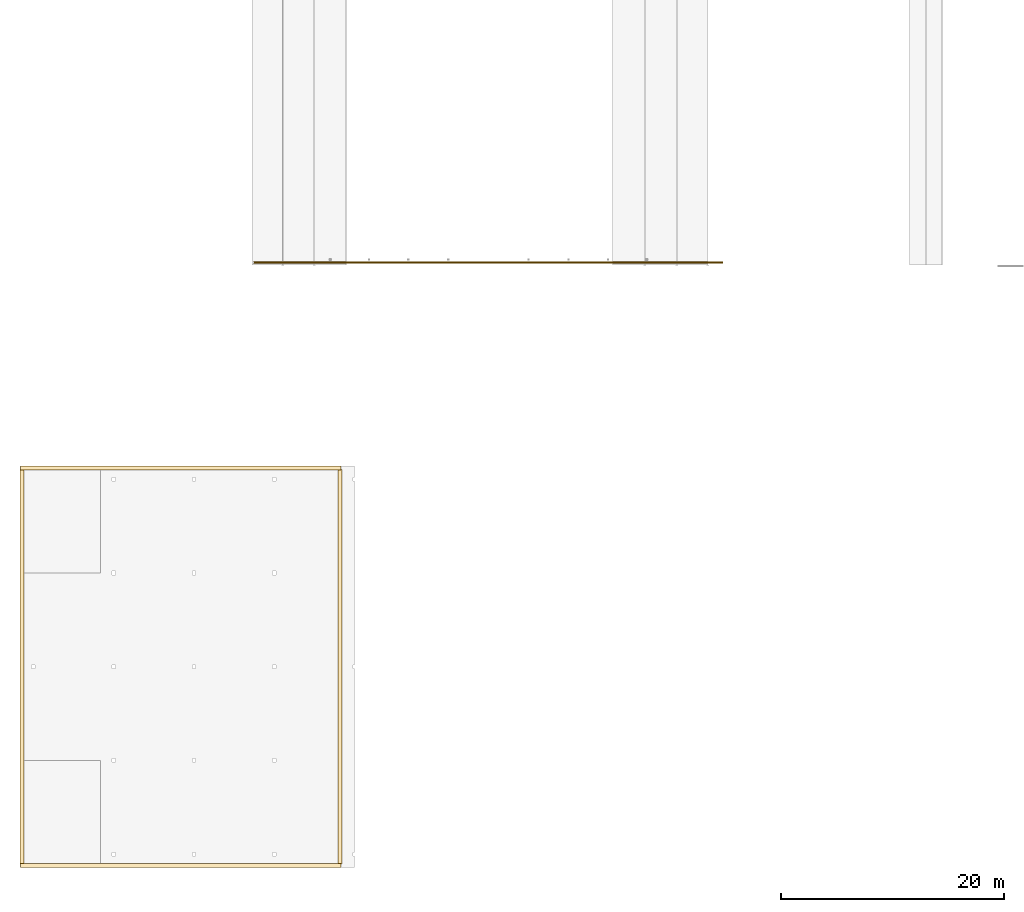
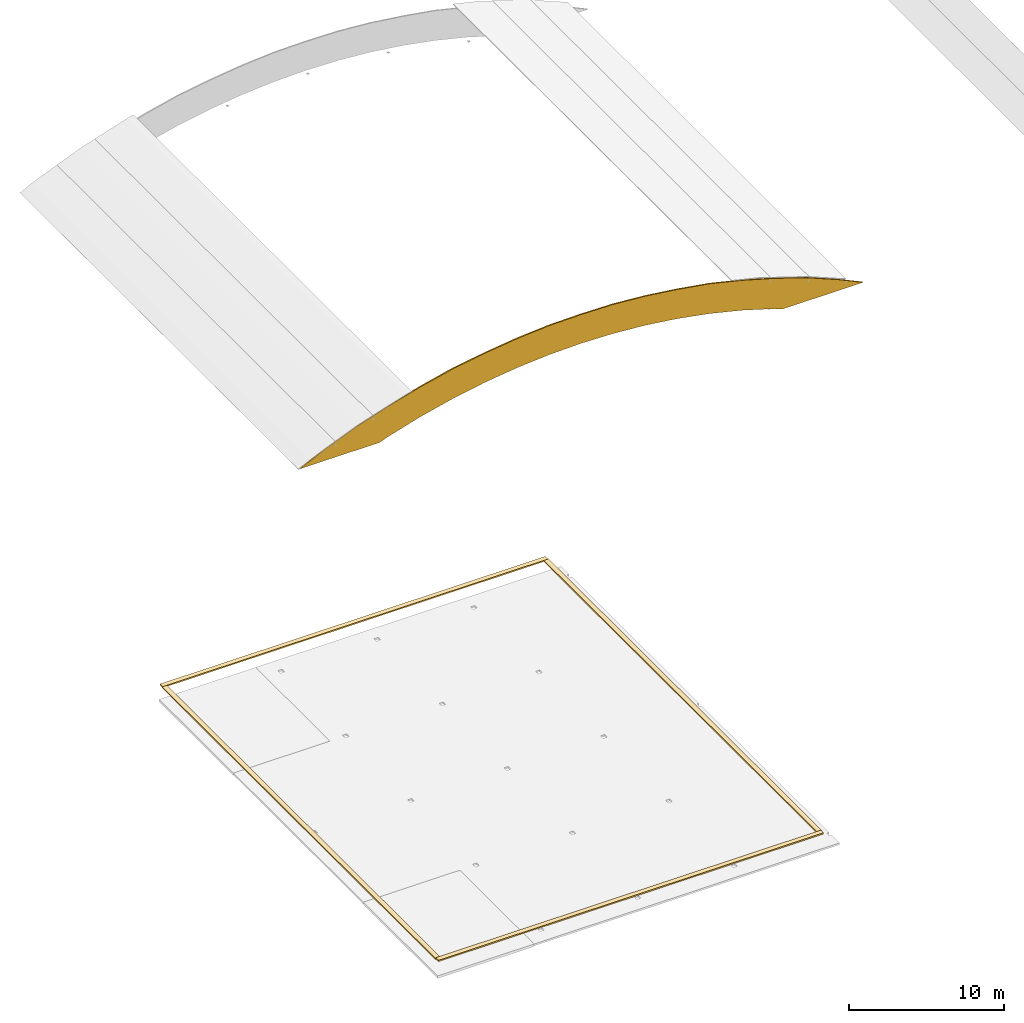
# One storey, part 14 of 17: 5 coverings.
"""IFC4 building model written with IfcOpenShell, lengths in metres."""

from ifc_helpers import new_model, si_unit, direction, frame, origin, origin_2d, place, context, subcontext, project, spatial, polyline, rectangle, outline, extrude, material, layer, layer_set, type_object, element, save


model = new_model("IFC4")

# Units and contexts
model_context = context("Model", 3, precision=1e-05, world=origin(), true_north=direction((0.0, 1.0)))
body_context = subcontext(model_context, "Body", "Model", "MODEL_VIEW")
ifc_project = project(units=[si_unit("LENGTHUNIT", "METRE"), si_unit("AREAUNIT", "SQUARE_METRE"), si_unit("VOLUMEUNIT", "CUBIC_METRE"), si_unit("PLANEANGLEUNIT", "RADIAN"), si_unit("MASSUNIT", "GRAM", prefix="KILO")], contexts=[model_context])

# Site, building, storey
site_placement = place(None, origin())
site = spatial("IfcSite", under=ifc_project, at=site_placement, CompositionType="ELEMENT")
building_placement = place(site_placement, origin())
building = spatial("IfcBuilding", under=site, at=building_placement, Name="Verrick Yard Athletic Hall", CompositionType="ELEMENT")
storey_placement = place(building_placement, frame((0.0, 0.0, 18.199951171875)))
storey = spatial("IfcBuildingStorey", under=building, at=storey_placement, Name="Roof", CompositionType="ELEMENT", Elevation=18.199951171875)

# Coverings
ifc_material = material(Name="Tyndall-stone-look precast cladding", Category="masonry")
ifc_layer_1 = layer(ifc_material, 0.125)
ifc_layer_set_1 = layer_set([ifc_layer_1], Name="Stone cladding")
covering_type_1 = type_object("IfcCoveringType", Name="Stone cladding", PredefinedType="CLADDING", material=ifc_layer_set_1)
covering_placement = place(storey_placement, frame((28.0, 72.23388671875, 0.0), z_axis=(0.0, 0.0, 1.0), x_axis=(1.0, 0.0, 0.0)))
element("IfcCovering", 1, at=covering_placement, inside=storey, type_object=covering_type_1, Name="ENVB-HBS-TYMP-UP", PredefinedType="CLADDING", context=body_context, shape_type="SweptSolid", body=[
    extrude(outline(polyline([(4.800048828125, 0.857177734375), (7.199951171875, 1.849365234375), (9.60009765625, 2.63671875), (12.0, 3.322265625), (14.39990234375, 3.8974609375), (16.800048828125, 4.2919921875), (19.199951171875, 4.602294921875), (21.60009765625, 4.790771484375), (24.0, 4.83056640625), (26.39990234375, 4.790771484375), (28.800048828125, 4.602294921875), (31.199951171875, 4.2919921875), (33.60009765625, 3.8974609375), (36.0, 3.322265625), (38.39990234375, 2.63671875), (40.800048828125, 1.849365234375), (43.199951171875, 0.857177734375), (45.0283203125, 0.0), (39.07958984375, 0.0), (38.39990234375, 0.245361328125), (36.0, 0.96435546875), (33.60009765625, 1.54443359375), (31.199951171875, 1.990234375), (28.800048828125, 2.30615234375), (26.39990234375, 2.49462890625), (24.0, 2.55712890625), (21.60009765625, 2.49462890625), (19.199951171875, 2.30615234375), (16.800048828125, 1.990234375), (14.39990234375, 1.54443359375), (12.0, 0.96435546875), (9.60009765625, 0.245361328125), (8.92041015625, 0.0), (2.9716796875, 0.0), (4.800048828125, 0.857177734375)])), frame((0.0, 0.050048828125, 0.0), z_axis=(0.0, -1.0, 0.0), x_axis=(1.0, 0.0, 0.0)), (0.0, 0.0, 1.0), 0.10009765625),
])
ifc_layer_2 = layer(ifc_material, 0.25)
ifc_layer_set_2 = layer_set([ifc_layer_2], Name="Stone moulding")
covering_type_2 = type_object("IfcCoveringType", Name="Stone moulding", PredefinedType="MOLDING", material=ifc_layer_set_2)
for number, where, z_axis, x_axis, name in (
    (2, (24.43115234375, 18.1875, 1.300048828125), (0.0, 0.0, 1.0), (1.0, 0.0, 0.0), "Parapet coping"),
    (3, (24.43115234375, 53.8125, 1.300048828125), (0.0, 0.0, 1.0), (1.0, 0.0, 0.0), "Parapet coping"),
):
    element("IfcCovering", number, at=place(storey_placement, frame(where, z_axis=z_axis, x_axis=x_axis)), inside=storey, type_object=covering_type_2, Name=name, PredefinedType="MOLDING", context=body_context, shape_type="SweptSolid", body=[
        extrude(rectangle(XDim=28.737548828125, YDim=0.35009765625, at=origin_2d()), origin(), (0.0, 0.0, 1.0), 0.10009765625),
    ])
for number, where, z_axis, x_axis, name in (
    (4, (10.1875, 36.0, 1.300048828125), (0.0, 0.0, 1.0), (1.0, 0.0, 0.0), "Parapet coping"),
    (5, (38.675048828125, 36.0, 1.300048828125), (0.0, 0.0, 1.0), (1.0, 0.0, 0.0), "Parapet coping"),
):
    element("IfcCovering", number, at=place(storey_placement, frame(where, z_axis=z_axis, x_axis=x_axis)), inside=storey, type_object=covering_type_2, Name=name, PredefinedType="MOLDING", context=body_context, shape_type="SweptSolid", body=[
        extrude(rectangle(XDim=0.35009765625, YDim=35.375, at=origin_2d()), origin(), (0.0, 0.0, 1.0), 0.10009765625),
    ])

save(model, "model.ifc")
